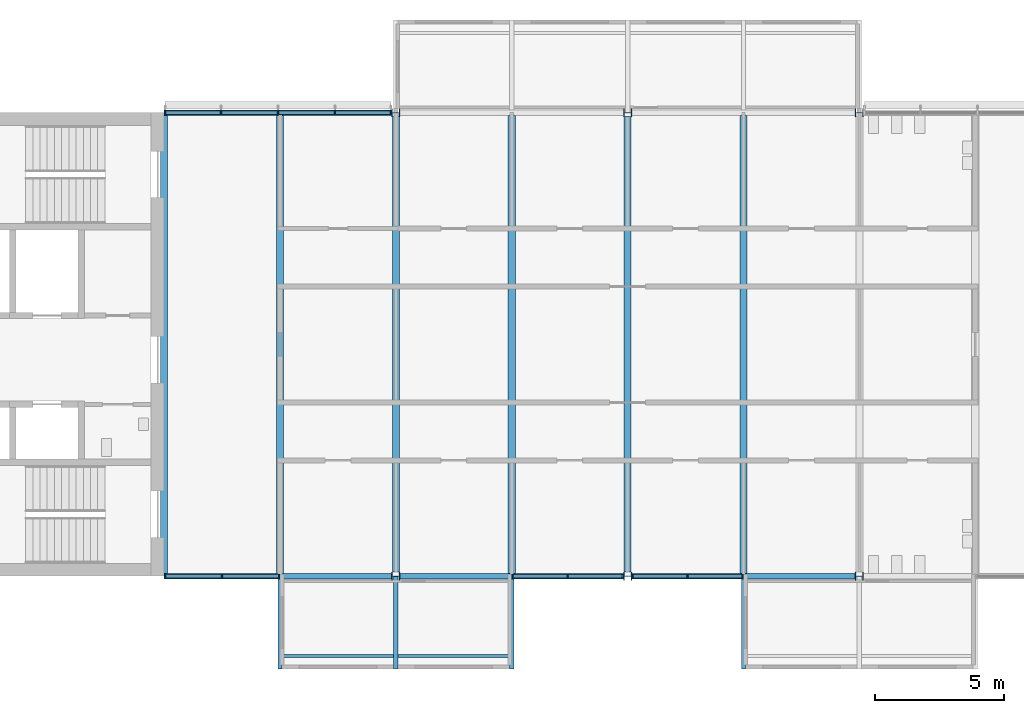
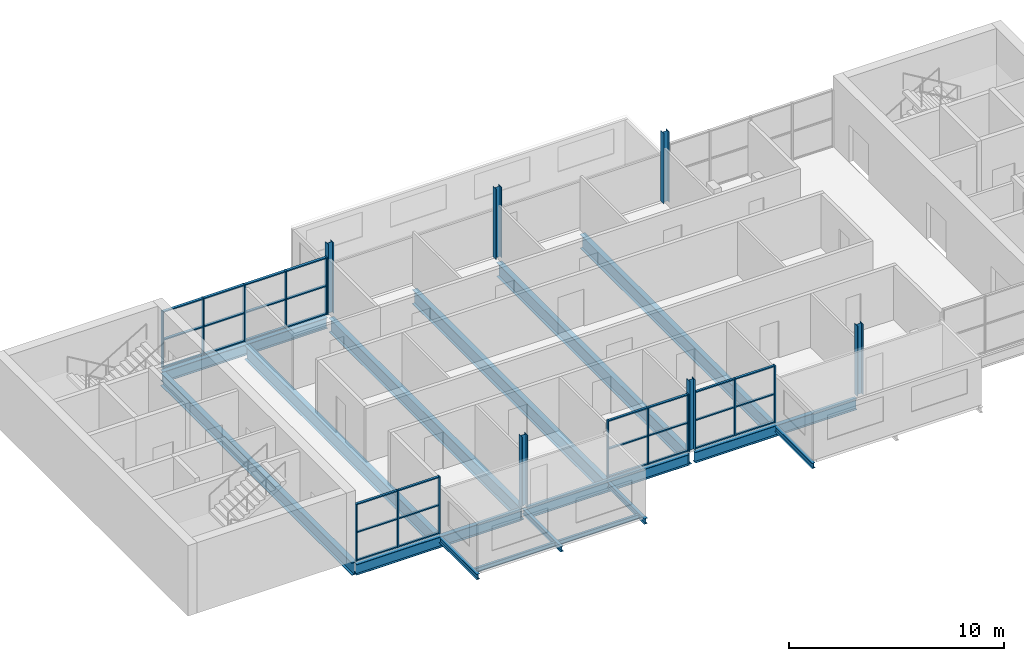
# One storey, part 1 of 10: 44 members, 16 beams, 6 columns, 4 elements without a shape of their own.
"""IFC4 building model written with IfcOpenShell, lengths in metres."""

from ifc_helpers import new_model, si_unit, direction, frame, origin, origin_2d, place, context, subcontext, project, spatial, rectangle, i_section, extrude, material, layer, layer_set, material_profile, profile_set, type_object, element, aggregate, save


model = new_model("IFC4")

# Units and contexts
model_context = context("Model", 3, precision=1e-05, world=origin(), true_north=direction((0.0, 1.0)))
body_context = subcontext(model_context, "Body", "Model", "MODEL_VIEW")
ifc_project = project(units=[si_unit("LENGTHUNIT", "METRE"), si_unit("AREAUNIT", "SQUARE_METRE"), si_unit("VOLUMEUNIT", "CUBIC_METRE"), si_unit("PLANEANGLEUNIT", "RADIAN"), si_unit("MASSUNIT", "GRAM", prefix="KILO")], contexts=[model_context])

# Site, building, storey
site_placement = place(None, origin())
site = spatial("IfcSite", under=ifc_project, at=site_placement, CompositionType="ELEMENT")
building_placement = place(site_placement, origin())
building = spatial("IfcBuilding", under=site, at=building_placement, Name="Corbel Yard City Hall", CompositionType="ELEMENT")
storey_placement = place(building_placement, frame((0.0, 0.0, 63.199951171875)))
storey = spatial("IfcBuildingStorey", under=building, at=storey_placement, Name="L15", CompositionType="ELEMENT", Elevation=63.199951171875)

# Columns
ifc_material_1 = material(Name="Steel Grade 300 (300 MPa yield)", Category="steel")
ifc_material_profile_1 = material_profile(ifc_material_1, i_section(OverallWidth=0.306884765625, OverallDepth=0.31494140625, WebThickness=0.011962890625, FlangeThickness=0.018798828125, at=origin_2d()), Name="310UC118")
ifc_profile_set_1 = profile_set([ifc_material_profile_1], Name="Steel Grade 300 (300 MPa yield)")
column_type = type_object("IfcColumnType", Name="Column 310UC118", PredefinedType="COLUMN", material=ifc_profile_set_1)
for number, where, z_axis, x_axis, name in (
    (1, (18.0, 99.0, 0.0), (0.0, 0.0, 1.0), (0.0, 1.0, 0.0), "Column 310UC118 L/3 L15"),
    (2, (18.0, 117.0, 0.0), (0.0, 0.0, 1.0), (0.0, 1.0, 0.0), "Column 310UC118 N/3 L15"),
    (3, (27.0, 99.0, 0.0), (0.0, 0.0, 1.0), (0.0, 1.0, 0.0), "Column 310UC118 L/4 L15"),
    (4, (27.0, 117.0, 0.0), (0.0, 0.0, 1.0), (0.0, 1.0, 0.0), "Column 310UC118 N/4 L15"),
    (5, (36.0, 99.0, 0.0), (0.0, 0.0, 1.0), (0.0, 1.0, 0.0), "Column 310UC118 L/5 L15"),
    (6, (36.0, 117.0, 0.0), (0.0, 0.0, 1.0), (0.0, 1.0, 0.0), "Column 310UC118 N/5 L15"),
):
    element("IfcColumn", number, at=place(storey_placement, frame(where, z_axis=z_axis, x_axis=x_axis)), inside=storey, type_object=column_type, Name=name, PredefinedType="COLUMN", context=body_context, shape_type="SweptSolid", body=[
        extrude(i_section(OverallWidth=0.306884765625, OverallDepth=0.31494140625, WebThickness=0.011962890625, FlangeThickness=0.018798828125, at=origin_2d()), origin(), (0.0, 0.0, 1.0), 4.0),
    ])

# Beams
ifc_material_profile_2 = material_profile(ifc_material_1, i_section(OverallWidth=0.22900390625, OverallDepth=0.612060546875, WebThickness=0.011962890625, FlangeThickness=0.01953125, at=origin_2d()), Name="610UB125")
ifc_profile_set_2 = profile_set([ifc_material_profile_2], Name="Steel Grade 300 (300 MPa yield)")
beam_type_1 = type_object("IfcBeamType", Name="Edge beam 610UB125", PredefinedType="BEAM", material=ifc_profile_set_2)
beam_1_placement = place(storey_placement, frame((9.0, 99.0, -0.4560546875), z_axis=(1.0, 0.0, 0.0), x_axis=(0.0, 1.0, 0.0)))
element("IfcBeam", 7, at=beam_1_placement, inside=storey, type_object=beam_type_1, Name="Edge beam 610UB125 EB7 L15tower", PredefinedType="BEAM", context=body_context, shape_type="SweptSolid", body=[
    extrude(i_section(OverallWidth=0.22900390625, OverallDepth=0.612060546875, WebThickness=0.011962890625, FlangeThickness=0.01953125, at=origin_2d()), origin(), (0.0, 0.0, 1.0), 8.83642578125),
])
for number, where, z_axis, x_axis, name in (
    (8, (18.16357421875, 99.0, -0.4560546875), (1.0, 0.0, 0.0), (0.0, 1.0, 0.0), "Edge beam 610UB125 EB7 L15tower"),
    (9, (27.16357421875, 99.0, -0.4560546875), (1.0, 0.0, 0.0), (0.0, 1.0, 0.0), "Edge beam 610UB125 EB7 L15tower"),
):
    element("IfcBeam", number, at=place(storey_placement, frame(where, z_axis=z_axis, x_axis=x_axis)), inside=storey, type_object=beam_type_1, Name=name, PredefinedType="BEAM", context=body_context, shape_type="SweptSolid", body=[
        extrude(i_section(OverallWidth=0.22900390625, OverallDepth=0.612060546875, WebThickness=0.011962890625, FlangeThickness=0.01953125, at=origin_2d()), origin(), (0.0, 0.0, 1.0), 8.6728515625),
    ])
beam_2_placement = place(storey_placement, frame((9.0, 117.0, -0.4560546875), z_axis=(1.0, 0.0, 0.0), x_axis=(0.0, 1.0, 0.0)))
element("IfcBeam", 10, at=beam_2_placement, inside=storey, type_object=beam_type_1, Name="Edge beam 610UB125 EB7 L15tower", PredefinedType="BEAM", context=body_context, shape_type="SweptSolid", body=[
    extrude(i_section(OverallWidth=0.22900390625, OverallDepth=0.612060546875, WebThickness=0.011962890625, FlangeThickness=0.01953125, at=origin_2d()), origin(), (0.0, 0.0, 1.0), 8.83642578125),
])
ifc_material_2 = material(Name="Steel Grade 350", Category="steel")
ifc_material_profile_3 = material_profile(ifc_material_2, i_section(OverallWidth=0.27490234375, OverallDepth=0.800048828125, WebThickness=0.010009765625, FlangeThickness=0.02001953125, at=origin_2d()), Name="800WB146")
ifc_profile_set_3 = profile_set([ifc_material_profile_3], Name="Steel Grade 350")
beam_type_2 = type_object("IfcBeamType", Name="Long-span beam 800WB146", PredefinedType="BEAM", material=ifc_profile_set_3)
for number, where, z_axis, x_axis, name in (
    (11, (18.0, 99.155517578125, -0.550048828125), (0.0, 1.0, 0.0), (-1.0, 0.0, 0.0), "Long-span beam 800WB146 SB8 L15tower"),
    (12, (27.0, 99.155517578125, -0.550048828125), (0.0, 1.0, 0.0), (-1.0, 0.0, 0.0), "Long-span beam 800WB146 SB8 L15tower"),
):
    element("IfcBeam", number, at=place(storey_placement, frame(where, z_axis=z_axis, x_axis=x_axis)), inside=storey, type_object=beam_type_2, Name=name, PredefinedType="BEAM", context=body_context, shape_type="SweptSolid", body=[
        extrude(i_section(OverallWidth=0.27490234375, OverallDepth=0.800048828125, WebThickness=0.010009765625, FlangeThickness=0.02001953125, at=origin_2d()), origin(), (0.0, 0.0, 1.0), 17.68896484375),
    ])
ifc_material_profile_4 = material_profile(ifc_material_2, i_section(OverallWidth=0.27490234375, OverallDepth=0.716064453125, WebThickness=0.010009765625, FlangeThickness=0.028076171875, at=origin_2d()), Name="700WB173")
ifc_profile_set_4 = profile_set([ifc_material_profile_4], Name="Steel Grade 350")
beam_type_3 = type_object("IfcBeamType", Name="Long-span edge beam 700WB173", PredefinedType="BEAM", material=ifc_profile_set_4)
beam_3_placement = place(storey_placement, frame((9.0, 99.114501953125, -0.508056640625), z_axis=(0.0, 1.0, 0.0), x_axis=(-1.0, 0.0, 0.0)))
element("IfcBeam", 13, at=beam_3_placement, inside=storey, type_object=beam_type_3, Name="Long-span edge beam 700WB173 EB10 L15tower", PredefinedType="BEAM", context=body_context, shape_type="SweptSolid", body=[
    extrude(i_section(OverallWidth=0.27490234375, OverallDepth=0.716064453125, WebThickness=0.010009765625, FlangeThickness=0.028076171875, at=origin_2d()), origin(), (0.0, 0.0, 1.0), 17.77099609375),
])
ifc_material_profile_5 = material_profile(ifc_material_2, i_section(OverallWidth=0.27490234375, OverallDepth=0.800048828125, WebThickness=0.010009765625, FlangeThickness=0.02001953125, at=origin_2d()), Name="800WB146")
ifc_profile_set_5 = profile_set([ifc_material_profile_5], Name="Steel Grade 350")
beam_type_4 = type_object("IfcBeamType", Name="Long-span secondary beam 800WB146", PredefinedType="JOIST", material=ifc_profile_set_5)
for number, where, z_axis, x_axis, name in (
    (14, (13.5, 99.114501953125, -0.550048828125), (0.0, 1.0, 0.0), (-1.0, 0.0, 0.0), "Long-span secondary beam 800WB146 SB7 L15tower"),
    (15, (22.5, 99.114501953125, -0.550048828125), (0.0, 1.0, 0.0), (-1.0, 0.0, 0.0), "Long-span secondary beam 800WB146 SB7 L15tower"),
    (16, (31.5, 99.114501953125, -0.550048828125), (0.0, 1.0, 0.0), (-1.0, 0.0, 0.0), "Long-span secondary beam 800WB146 SB7 L15tower"),
):
    element("IfcBeam", number, at=place(storey_placement, frame(where, z_axis=z_axis, x_axis=x_axis)), inside=storey, type_object=beam_type_4, Name=name, PredefinedType="JOIST", context=body_context, shape_type="SweptSolid", body=[
        extrude(i_section(OverallWidth=0.27490234375, OverallDepth=0.800048828125, WebThickness=0.010009765625, FlangeThickness=0.02001953125, at=origin_2d()), origin(), (0.0, 0.0, 1.0), 17.77099609375),
    ])

# Curtain wall, members
ifc_material_3 = material(Name="Aluminium extrusion", Category="aluminium")
ifc_layer_1 = layer(ifc_material_3, 0.14990234375)
ifc_layer_set_1 = layer_set([ifc_layer_1], Name="Aluminium extrusion")
curtain_wall_type_1 = type_object("IfcCurtainWallType", Name="CW2", PredefinedType="USERDEFINED", material=ifc_layer_set_1)
curtain_wall_1_placement = place(storey_placement, origin())
curtain_wall_1 = element("IfcCurtainWall", 17, at=curtain_wall_1_placement, inside=storey, type_object=curtain_wall_type_1, Name="Curtain wall CW2 L15", ObjectType="CURTAIN WALL", PredefinedType="USERDEFINED")
ifc_material_profile_6 = material_profile(ifc_material_3, rectangle(XDim=0.14990234375, YDim=0.06494140625, at=origin_2d()), Name="150x65")
ifc_profile_set_6 = profile_set([ifc_material_profile_6], Name="Aluminium extrusion")
member_type_1 = type_object("IfcMemberType", Name="ML2", PredefinedType="MULLION", material=ifc_profile_set_6)
member_1_placement = place(storey_placement, frame((9.032470703125, 99.0, 0.0), z_axis=(0.0, 0.0, 1.0), x_axis=(0.0, 1.0, 0.0)))
member_1 = element("IfcMember", 18, at=member_1_placement, type_object=member_type_1, Name="CW2 mullion 1", PredefinedType="MULLION", context=body_context, shape_type="SweptSolid", body=[
    extrude(rectangle(XDim=0.14990234375, YDim=0.06494140625, at=origin_2d()), origin(), (0.0, 0.0, 1.0), 3.238037109375),
])
member_2_placement = place(storey_placement, frame((11.25, 99.0, 0.0), z_axis=(0.0, 0.0, 1.0), x_axis=(0.0, 1.0, 0.0)))
member_2 = element("IfcMember", 19, at=member_2_placement, type_object=member_type_1, Name="CW2 mullion 2", PredefinedType="MULLION", context=body_context, shape_type="SweptSolid", body=[
    extrude(rectangle(XDim=0.14990234375, YDim=0.06494140625, at=origin_2d()), origin(), (0.0, 0.0, 1.0), 3.238037109375),
])
member_3_placement = place(storey_placement, frame((13.467529296875, 99.0, 0.0), z_axis=(0.0, 0.0, 1.0), x_axis=(0.0, 1.0, 0.0)))
member_3 = element("IfcMember", 20, at=member_3_placement, type_object=member_type_1, Name="CW2 mullion 3", PredefinedType="MULLION", context=body_context, shape_type="SweptSolid", body=[
    extrude(rectangle(XDim=0.14990234375, YDim=0.06494140625, at=origin_2d()), origin(), (0.0, 0.0, 1.0), 3.238037109375),
])

curtain_wall_2_placement = place(storey_placement, origin())
curtain_wall_2 = element("IfcCurtainWall", 21, at=curtain_wall_2_placement, inside=storey, type_object=curtain_wall_type_1, Name="Curtain wall CW2 L15", ObjectType="CURTAIN WALL", PredefinedType="USERDEFINED")
member_4_placement = place(storey_placement, frame((22.532470703125, 99.0, 0.0), z_axis=(0.0, 0.0, 1.0), x_axis=(0.0, 1.0, 0.0)))
member_4 = element("IfcMember", 22, at=member_4_placement, type_object=member_type_1, Name="CW2 mullion 1", PredefinedType="MULLION", context=body_context, shape_type="SweptSolid", body=[
    extrude(rectangle(XDim=0.14990234375, YDim=0.06494140625, at=origin_2d()), origin(), (0.0, 0.0, 1.0), 3.238037109375),
])
member_5_placement = place(storey_placement, frame((24.671142578125, 99.0, 0.0), z_axis=(0.0, 0.0, 1.0), x_axis=(0.0, 1.0, 0.0)))
member_5 = element("IfcMember", 23, at=member_5_placement, type_object=member_type_1, Name="CW2 mullion 2", PredefinedType="MULLION", context=body_context, shape_type="SweptSolid", body=[
    extrude(rectangle(XDim=0.14990234375, YDim=0.06494140625, at=origin_2d()), origin(), (0.0, 0.0, 1.0), 3.238037109375),
])
member_6_placement = place(storey_placement, frame((26.81005859375, 99.0, 0.0), z_axis=(0.0, 0.0, 1.0), x_axis=(0.0, 1.0, 0.0)))
member_6 = element("IfcMember", 24, at=member_6_placement, type_object=member_type_1, Name="CW2 mullion 3", PredefinedType="MULLION", context=body_context, shape_type="SweptSolid", body=[
    extrude(rectangle(XDim=0.14990234375, YDim=0.06494140625, at=origin_2d()), origin(), (0.0, 0.0, 1.0), 3.238037109375),
])

curtain_wall_3_placement = place(storey_placement, origin())
curtain_wall_3 = element("IfcCurtainWall", 25, at=curtain_wall_3_placement, inside=storey, type_object=curtain_wall_type_1, Name="Curtain wall CW2 L15", ObjectType="CURTAIN WALL", PredefinedType="USERDEFINED")
member_7_placement = place(storey_placement, frame((27.18994140625, 99.0, 0.0), z_axis=(0.0, 0.0, 1.0), x_axis=(0.0, 1.0, 0.0)))
member_7 = element("IfcMember", 26, at=member_7_placement, type_object=member_type_1, Name="CW2 mullion 1", PredefinedType="MULLION", context=body_context, shape_type="SweptSolid", body=[
    extrude(rectangle(XDim=0.14990234375, YDim=0.06494140625, at=origin_2d()), origin(), (0.0, 0.0, 1.0), 3.238037109375),
])
member_8_placement = place(storey_placement, frame((29.328857421875, 99.0, 0.0), z_axis=(0.0, 0.0, 1.0), x_axis=(0.0, 1.0, 0.0)))
member_8 = element("IfcMember", 27, at=member_8_placement, type_object=member_type_1, Name="CW2 mullion 2", PredefinedType="MULLION", context=body_context, shape_type="SweptSolid", body=[
    extrude(rectangle(XDim=0.14990234375, YDim=0.06494140625, at=origin_2d()), origin(), (0.0, 0.0, 1.0), 3.238037109375),
])
member_9_placement = place(storey_placement, frame((31.467529296875, 99.0, 0.0), z_axis=(0.0, 0.0, 1.0), x_axis=(0.0, 1.0, 0.0)))
member_9 = element("IfcMember", 28, at=member_9_placement, type_object=member_type_1, Name="CW2 mullion 3", PredefinedType="MULLION", context=body_context, shape_type="SweptSolid", body=[
    extrude(rectangle(XDim=0.14990234375, YDim=0.06494140625, at=origin_2d()), origin(), (0.0, 0.0, 1.0), 3.238037109375),
])

ifc_layer_2 = layer(ifc_material_3, 0.179931640625)
ifc_layer_set_2 = layer_set([ifc_layer_2], Name="Aluminium extrusion")
curtain_wall_type_2 = type_object("IfcCurtainWallType", Name="CW6", PredefinedType="USERDEFINED", material=ifc_layer_set_2)
curtain_wall_4_placement = place(storey_placement, origin())
curtain_wall_4 = element("IfcCurtainWall", 29, at=curtain_wall_4_placement, inside=storey, type_object=curtain_wall_type_2, Name="Curtain wall CW6 L15", ObjectType="CURTAIN WALL", PredefinedType="USERDEFINED")
ifc_material_profile_7 = material_profile(ifc_material_3, rectangle(XDim=0.179931640625, YDim=0.06494140625, at=origin_2d()), Name="180x65")
ifc_profile_set_7 = profile_set([ifc_material_profile_7], Name="Aluminium extrusion")
member_type_2 = type_object("IfcMemberType", Name="ML6", PredefinedType="MULLION", material=ifc_profile_set_7)
member_10_placement = place(storey_placement, frame((9.032470703125, 117.0, 0.0), z_axis=(0.0, 0.0, 1.0), x_axis=(0.0, 1.0, 0.0)))
member_10 = element("IfcMember", 30, at=member_10_placement, type_object=member_type_2, Name="CW6 mullion 1", PredefinedType="MULLION", context=body_context, shape_type="SweptSolid", body=[
    extrude(rectangle(XDim=0.179931640625, YDim=0.06494140625, at=origin_2d()), origin(), (0.0, 0.0, 1.0), 3.238037109375),
])
member_11_placement = place(storey_placement, frame((11.210693359375, 117.0, 0.0), z_axis=(0.0, 0.0, 1.0), x_axis=(0.0, 1.0, 0.0)))
member_11 = element("IfcMember", 31, at=member_11_placement, type_object=member_type_2, Name="CW6 mullion 2", PredefinedType="MULLION", context=body_context, shape_type="SweptSolid", body=[
    extrude(rectangle(XDim=0.179931640625, YDim=0.06494140625, at=origin_2d()), origin(), (0.0, 0.0, 1.0), 3.238037109375),
])
member_12_placement = place(storey_placement, frame((13.421142578125, 117.0, 0.0), z_axis=(0.0, 0.0, 1.0), x_axis=(0.0, 1.0, 0.0)))
member_12 = element("IfcMember", 32, at=member_12_placement, type_object=member_type_2, Name="CW6 mullion 3", PredefinedType="MULLION", context=body_context, shape_type="SweptSolid", body=[
    extrude(rectangle(XDim=0.179931640625, YDim=0.06494140625, at=origin_2d()), origin(), (0.0, 0.0, 1.0), 3.238037109375),
])
member_13_placement = place(storey_placement, frame((15.6318359375, 117.0, 0.0), z_axis=(0.0, 0.0, 1.0), x_axis=(0.0, 1.0, 0.0)))
member_13 = element("IfcMember", 33, at=member_13_placement, type_object=member_type_2, Name="CW6 mullion 4", PredefinedType="MULLION", context=body_context, shape_type="SweptSolid", body=[
    extrude(rectangle(XDim=0.179931640625, YDim=0.06494140625, at=origin_2d()), origin(), (0.0, 0.0, 1.0), 3.238037109375),
])
member_14_placement = place(storey_placement, frame((17.81005859375, 117.0, 0.0), z_axis=(0.0, 0.0, 1.0), x_axis=(0.0, 1.0, 0.0)))
member_14 = element("IfcMember", 34, at=member_14_placement, type_object=member_type_2, Name="CW6 mullion 5", PredefinedType="MULLION", context=body_context, shape_type="SweptSolid", body=[
    extrude(rectangle(XDim=0.179931640625, YDim=0.06494140625, at=origin_2d()), origin(), (0.0, 0.0, 1.0), 3.238037109375),
])

# Beams
ifc_material_profile_8 = material_profile(ifc_material_1, i_section(OverallWidth=0.166015625, OverallDepth=0.306884765625, WebThickness=0.006591796875, FlangeThickness=0.01171875, at=origin_2d()), Name="310UB46.2")
ifc_profile_set_8 = profile_set([ifc_material_profile_8], Name="Steel Grade 300 (300 MPa yield)")
beam_type_5 = type_object("IfcBeamType", Name="Pod stub beam 310UB46.2", PredefinedType="BEAM", material=ifc_profile_set_8)
beam_4_placement = place(storey_placement, frame((13.5, 95.39990234375, -0.303466796875), z_axis=(0.0, 1.0, 0.0), x_axis=(-1.0, 0.0, 0.0)))
element("IfcBeam", 35, at=beam_4_placement, inside=storey, type_object=beam_type_5, Name="Pod stub 310UB46.2 CB1 L15", PredefinedType="BEAM", context=body_context, shape_type="SweptSolid", body=[
    extrude(i_section(OverallWidth=0.166015625, OverallDepth=0.306884765625, WebThickness=0.006591796875, FlangeThickness=0.01171875, at=origin_2d()), origin(), (0.0, 0.0, 1.0), 3.485595703125),
])
beam_5_placement = place(storey_placement, frame((18.0, 95.39990234375, -0.303466796875), z_axis=(0.0, 1.0, 0.0), x_axis=(-1.0, 0.0, 0.0)))
element("IfcBeam", 36, at=beam_5_placement, inside=storey, type_object=beam_type_5, Name="Pod stub 310UB46.2 CB1 L15", PredefinedType="BEAM", context=body_context, shape_type="SweptSolid", body=[
    extrude(i_section(OverallWidth=0.166015625, OverallDepth=0.306884765625, WebThickness=0.006591796875, FlangeThickness=0.01171875, at=origin_2d()), origin(), (0.0, 0.0, 1.0), 3.59423828125),
])
for number, where, z_axis, x_axis, name in (
    (37, (22.5, 95.39990234375, -0.303466796875), (0.0, 1.0, 0.0), (-1.0, 0.0, 0.0), "Pod stub 310UB46.2 CB1 L15"),
    (38, (31.5, 95.39990234375, -0.303466796875), (0.0, 1.0, 0.0), (-1.0, 0.0, 0.0), "Pod stub 310UB46.2 CB1 L15"),
):
    element("IfcBeam", number, at=place(storey_placement, frame(where, z_axis=z_axis, x_axis=x_axis)), inside=storey, type_object=beam_type_5, Name=name, PredefinedType="BEAM", context=body_context, shape_type="SweptSolid", body=[
        extrude(i_section(OverallWidth=0.166015625, OverallDepth=0.306884765625, WebThickness=0.006591796875, FlangeThickness=0.01171875, at=origin_2d()), origin(), (0.0, 0.0, 1.0), 3.485595703125),
    ])
ifc_material_profile_9 = material_profile(ifc_material_1, i_section(OverallWidth=0.1240234375, OverallDepth=0.248046875, WebThickness=0.0048828125, FlangeThickness=0.008056640625, at=origin_2d()), Name="250UB25.7")
ifc_profile_set_9 = profile_set([ifc_material_profile_9], Name="Steel Grade 300 (300 MPa yield)")
beam_type_6 = type_object("IfcBeamType", Name="Pod tip beam", PredefinedType="BEAM", material=ifc_profile_set_9)
for number, where, z_axis, x_axis, name in (
    (39, (13.5830078125, 95.89990234375, -0.27392578125), (1.0, 0.0, 0.0), (0.0, 1.0, 0.0), "Pod tip beam"),
    (40, (18.0830078125, 95.89990234375, -0.27392578125), (1.0, 0.0, 0.0), (0.0, 1.0, 0.0), "Pod tip beam"),
):
    element("IfcBeam", number, at=place(storey_placement, frame(where, z_axis=z_axis, x_axis=x_axis)), inside=storey, type_object=beam_type_6, Name=name, PredefinedType="BEAM", context=body_context, shape_type="SweptSolid", body=[
        extrude(i_section(OverallWidth=0.1240234375, OverallDepth=0.248046875, WebThickness=0.0048828125, FlangeThickness=0.008056640625, at=origin_2d()), origin(), (0.0, 0.0, 1.0), 4.333984375),
    ])

# Member
ifc_material_profile_10 = material_profile(ifc_material_3, rectangle(XDim=0.1201171875, YDim=0.06494140625, at=origin_2d()), Name="120x65")
ifc_profile_set_10 = profile_set([ifc_material_profile_10], Name="Aluminium extrusion")
member_type_3 = type_object("IfcMemberType", Name="TR2", PredefinedType="USERDEFINED", material=ifc_profile_set_10)
member_15_placement = place(storey_placement, frame((9.06494140625, 99.0, 0.032470703125), z_axis=(1.0, 0.0, 0.0), x_axis=(0.0, 1.0, 0.0)))
member_15 = element("IfcMember", 41, at=member_15_placement, type_object=member_type_3, Name="CW2 transom 1.1", ObjectType="TRANSOM", PredefinedType="USERDEFINED", context=body_context, shape_type="SweptSolid", body=[
    extrude(rectangle(XDim=0.1201171875, YDim=0.06494140625, at=origin_2d()), origin(), (0.0, 0.0, 1.0), 2.152587890625),
])

member_16_placement = place(storey_placement, frame((9.06494140625, 99.0, 1.619140625), z_axis=(1.0, 0.0, 0.0), x_axis=(0.0, 1.0, 0.0)))
member_16 = element("IfcMember", 42, at=member_16_placement, type_object=member_type_3, Name="CW2 transom 1.2", ObjectType="TRANSOM", PredefinedType="USERDEFINED", context=body_context, shape_type="SweptSolid", body=[
    extrude(rectangle(XDim=0.1201171875, YDim=0.06494140625, at=origin_2d()), origin(), (0.0, 0.0, 1.0), 2.152587890625),
])

member_17_placement = place(storey_placement, frame((9.06494140625, 99.0, 3.20556640625), z_axis=(1.0, 0.0, 0.0), x_axis=(0.0, 1.0, 0.0)))
member_17 = element("IfcMember", 43, at=member_17_placement, type_object=member_type_3, Name="CW2 transom 1.3", ObjectType="TRANSOM", PredefinedType="USERDEFINED", context=body_context, shape_type="SweptSolid", body=[
    extrude(rectangle(XDim=0.1201171875, YDim=0.06494140625, at=origin_2d()), origin(), (0.0, 0.0, 1.0), 2.152587890625),
])

member_18_placement = place(storey_placement, frame((11.282470703125, 99.0, 0.032470703125), z_axis=(1.0, 0.0, 0.0), x_axis=(0.0, 1.0, 0.0)))
member_18 = element("IfcMember", 44, at=member_18_placement, type_object=member_type_3, Name="CW2 transom 2.1", ObjectType="TRANSOM", PredefinedType="USERDEFINED", context=body_context, shape_type="SweptSolid", body=[
    extrude(rectangle(XDim=0.1201171875, YDim=0.06494140625, at=origin_2d()), origin(), (0.0, 0.0, 1.0), 2.152587890625),
])

member_19_placement = place(storey_placement, frame((11.282470703125, 99.0, 1.619140625), z_axis=(1.0, 0.0, 0.0), x_axis=(0.0, 1.0, 0.0)))
member_19 = element("IfcMember", 45, at=member_19_placement, type_object=member_type_3, Name="CW2 transom 2.2", ObjectType="TRANSOM", PredefinedType="USERDEFINED", context=body_context, shape_type="SweptSolid", body=[
    extrude(rectangle(XDim=0.1201171875, YDim=0.06494140625, at=origin_2d()), origin(), (0.0, 0.0, 1.0), 2.152587890625),
])

member_20_placement = place(storey_placement, frame((11.282470703125, 99.0, 3.20556640625), z_axis=(1.0, 0.0, 0.0), x_axis=(0.0, 1.0, 0.0)))
member_20 = element("IfcMember", 46, at=member_20_placement, type_object=member_type_3, Name="CW2 transom 2.3", ObjectType="TRANSOM", PredefinedType="USERDEFINED", context=body_context, shape_type="SweptSolid", body=[
    extrude(rectangle(XDim=0.1201171875, YDim=0.06494140625, at=origin_2d()), origin(), (0.0, 0.0, 1.0), 2.152587890625),
])

aggregate(curtain_wall_1, [member_1, member_2, member_3, member_15, member_16, member_17, member_18, member_19, member_20])

member_21_placement = place(storey_placement, frame((22.56494140625, 99.0, 0.032470703125), z_axis=(1.0, 0.0, 0.0), x_axis=(0.0, 1.0, 0.0)))
member_21 = element("IfcMember", 47, at=member_21_placement, type_object=member_type_3, Name="CW2 transom 1.1", ObjectType="TRANSOM", PredefinedType="USERDEFINED", context=body_context, shape_type="SweptSolid", body=[
    extrude(rectangle(XDim=0.1201171875, YDim=0.06494140625, at=origin_2d()), origin(), (0.0, 0.0, 1.0), 2.07373046875),
])

member_22_placement = place(storey_placement, frame((22.56494140625, 99.0, 1.619140625), z_axis=(1.0, 0.0, 0.0), x_axis=(0.0, 1.0, 0.0)))
member_22 = element("IfcMember", 48, at=member_22_placement, type_object=member_type_3, Name="CW2 transom 1.2", ObjectType="TRANSOM", PredefinedType="USERDEFINED", context=body_context, shape_type="SweptSolid", body=[
    extrude(rectangle(XDim=0.1201171875, YDim=0.06494140625, at=origin_2d()), origin(), (0.0, 0.0, 1.0), 2.07373046875),
])

member_23_placement = place(storey_placement, frame((22.56494140625, 99.0, 3.20556640625), z_axis=(1.0, 0.0, 0.0), x_axis=(0.0, 1.0, 0.0)))
member_23 = element("IfcMember", 49, at=member_23_placement, type_object=member_type_3, Name="CW2 transom 1.3", ObjectType="TRANSOM", PredefinedType="USERDEFINED", context=body_context, shape_type="SweptSolid", body=[
    extrude(rectangle(XDim=0.1201171875, YDim=0.06494140625, at=origin_2d()), origin(), (0.0, 0.0, 1.0), 2.07373046875),
])

member_24_placement = place(storey_placement, frame((24.703857421875, 99.0, 0.032470703125), z_axis=(1.0, 0.0, 0.0), x_axis=(0.0, 1.0, 0.0)))
member_24 = element("IfcMember", 50, at=member_24_placement, type_object=member_type_3, Name="CW2 transom 2.1", ObjectType="TRANSOM", PredefinedType="USERDEFINED", context=body_context, shape_type="SweptSolid", body=[
    extrude(rectangle(XDim=0.1201171875, YDim=0.06494140625, at=origin_2d()), origin(), (0.0, 0.0, 1.0), 2.07373046875),
])

member_25_placement = place(storey_placement, frame((24.703857421875, 99.0, 1.619140625), z_axis=(1.0, 0.0, 0.0), x_axis=(0.0, 1.0, 0.0)))
member_25 = element("IfcMember", 51, at=member_25_placement, type_object=member_type_3, Name="CW2 transom 2.2", ObjectType="TRANSOM", PredefinedType="USERDEFINED", context=body_context, shape_type="SweptSolid", body=[
    extrude(rectangle(XDim=0.1201171875, YDim=0.06494140625, at=origin_2d()), origin(), (0.0, 0.0, 1.0), 2.07373046875),
])

member_26_placement = place(storey_placement, frame((24.703857421875, 99.0, 3.20556640625), z_axis=(1.0, 0.0, 0.0), x_axis=(0.0, 1.0, 0.0)))
member_26 = element("IfcMember", 52, at=member_26_placement, type_object=member_type_3, Name="CW2 transom 2.3", ObjectType="TRANSOM", PredefinedType="USERDEFINED", context=body_context, shape_type="SweptSolid", body=[
    extrude(rectangle(XDim=0.1201171875, YDim=0.06494140625, at=origin_2d()), origin(), (0.0, 0.0, 1.0), 2.07373046875),
])

aggregate(curtain_wall_2, [member_4, member_5, member_6, member_21, member_22, member_23, member_24, member_25, member_26])

member_27_placement = place(storey_placement, frame((27.222412109375, 99.0, 0.032470703125), z_axis=(1.0, 0.0, 0.0), x_axis=(0.0, 1.0, 0.0)))
member_27 = element("IfcMember", 53, at=member_27_placement, type_object=member_type_3, Name="CW2 transom 1.1", ObjectType="TRANSOM", PredefinedType="USERDEFINED", context=body_context, shape_type="SweptSolid", body=[
    extrude(rectangle(XDim=0.1201171875, YDim=0.06494140625, at=origin_2d()), origin(), (0.0, 0.0, 1.0), 2.07373046875),
])

member_28_placement = place(storey_placement, frame((27.222412109375, 99.0, 1.619140625), z_axis=(1.0, 0.0, 0.0), x_axis=(0.0, 1.0, 0.0)))
member_28 = element("IfcMember", 54, at=member_28_placement, type_object=member_type_3, Name="CW2 transom 1.2", ObjectType="TRANSOM", PredefinedType="USERDEFINED", context=body_context, shape_type="SweptSolid", body=[
    extrude(rectangle(XDim=0.1201171875, YDim=0.06494140625, at=origin_2d()), origin(), (0.0, 0.0, 1.0), 2.07373046875),
])

member_29_placement = place(storey_placement, frame((27.222412109375, 99.0, 3.20556640625), z_axis=(1.0, 0.0, 0.0), x_axis=(0.0, 1.0, 0.0)))
member_29 = element("IfcMember", 55, at=member_29_placement, type_object=member_type_3, Name="CW2 transom 1.3", ObjectType="TRANSOM", PredefinedType="USERDEFINED", context=body_context, shape_type="SweptSolid", body=[
    extrude(rectangle(XDim=0.1201171875, YDim=0.06494140625, at=origin_2d()), origin(), (0.0, 0.0, 1.0), 2.07373046875),
])

member_30_placement = place(storey_placement, frame((29.361328125, 99.0, 0.032470703125), z_axis=(1.0, 0.0, 0.0), x_axis=(0.0, 1.0, 0.0)))
member_30 = element("IfcMember", 56, at=member_30_placement, type_object=member_type_3, Name="CW2 transom 2.1", ObjectType="TRANSOM", PredefinedType="USERDEFINED", context=body_context, shape_type="SweptSolid", body=[
    extrude(rectangle(XDim=0.1201171875, YDim=0.06494140625, at=origin_2d()), origin(), (0.0, 0.0, 1.0), 2.07373046875),
])

member_31_placement = place(storey_placement, frame((29.361328125, 99.0, 1.619140625), z_axis=(1.0, 0.0, 0.0), x_axis=(0.0, 1.0, 0.0)))
member_31 = element("IfcMember", 57, at=member_31_placement, type_object=member_type_3, Name="CW2 transom 2.2", ObjectType="TRANSOM", PredefinedType="USERDEFINED", context=body_context, shape_type="SweptSolid", body=[
    extrude(rectangle(XDim=0.1201171875, YDim=0.06494140625, at=origin_2d()), origin(), (0.0, 0.0, 1.0), 2.07373046875),
])

member_32_placement = place(storey_placement, frame((29.361328125, 99.0, 3.20556640625), z_axis=(1.0, 0.0, 0.0), x_axis=(0.0, 1.0, 0.0)))
member_32 = element("IfcMember", 58, at=member_32_placement, type_object=member_type_3, Name="CW2 transom 2.3", ObjectType="TRANSOM", PredefinedType="USERDEFINED", context=body_context, shape_type="SweptSolid", body=[
    extrude(rectangle(XDim=0.1201171875, YDim=0.06494140625, at=origin_2d()), origin(), (0.0, 0.0, 1.0), 2.07373046875),
])

aggregate(curtain_wall_3, [member_7, member_8, member_9, member_27, member_28, member_29, member_30, member_31, member_32])

ifc_material_profile_11 = material_profile(ifc_material_3, rectangle(XDim=0.139892578125, YDim=0.06494140625, at=origin_2d()), Name="140x65")
ifc_profile_set_11 = profile_set([ifc_material_profile_11], Name="Aluminium extrusion")
member_type_4 = type_object("IfcMemberType", Name="TR6", PredefinedType="USERDEFINED", material=ifc_profile_set_11)
member_33_placement = place(storey_placement, frame((9.06494140625, 117.0, 0.032470703125), z_axis=(1.0, 0.0, 0.0), x_axis=(0.0, 1.0, 0.0)))
member_33 = element("IfcMember", 59, at=member_33_placement, type_object=member_type_4, Name="CW6 transom 1.1", ObjectType="TRANSOM", PredefinedType="USERDEFINED", context=body_context, shape_type="SweptSolid", body=[
    extrude(rectangle(XDim=0.139892578125, YDim=0.06494140625, at=origin_2d()), origin(), (0.0, 0.0, 1.0), 2.11328125),
])

member_34_placement = place(storey_placement, frame((9.06494140625, 117.0, 1.619140625), z_axis=(1.0, 0.0, 0.0), x_axis=(0.0, 1.0, 0.0)))
member_34 = element("IfcMember", 60, at=member_34_placement, type_object=member_type_4, Name="CW6 transom 1.2", ObjectType="TRANSOM", PredefinedType="USERDEFINED", context=body_context, shape_type="SweptSolid", body=[
    extrude(rectangle(XDim=0.139892578125, YDim=0.06494140625, at=origin_2d()), origin(), (0.0, 0.0, 1.0), 2.11328125),
])

member_35_placement = place(storey_placement, frame((9.06494140625, 117.0, 3.20556640625), z_axis=(1.0, 0.0, 0.0), x_axis=(0.0, 1.0, 0.0)))
member_35 = element("IfcMember", 61, at=member_35_placement, type_object=member_type_4, Name="CW6 transom 1.3", ObjectType="TRANSOM", PredefinedType="USERDEFINED", context=body_context, shape_type="SweptSolid", body=[
    extrude(rectangle(XDim=0.139892578125, YDim=0.06494140625, at=origin_2d()), origin(), (0.0, 0.0, 1.0), 2.11328125),
])

member_36_placement = place(storey_placement, frame((11.2431640625, 117.0, 0.032470703125), z_axis=(1.0, 0.0, 0.0), x_axis=(0.0, 1.0, 0.0)))
member_36 = element("IfcMember", 62, at=member_36_placement, type_object=member_type_4, Name="CW6 transom 2.1", ObjectType="TRANSOM", PredefinedType="USERDEFINED", context=body_context, shape_type="SweptSolid", body=[
    extrude(rectangle(XDim=0.139892578125, YDim=0.06494140625, at=origin_2d()), origin(), (0.0, 0.0, 1.0), 2.1455078125),
])

member_37_placement = place(storey_placement, frame((11.2431640625, 117.0, 1.619140625), z_axis=(1.0, 0.0, 0.0), x_axis=(0.0, 1.0, 0.0)))
member_37 = element("IfcMember", 63, at=member_37_placement, type_object=member_type_4, Name="CW6 transom 2.2", ObjectType="TRANSOM", PredefinedType="USERDEFINED", context=body_context, shape_type="SweptSolid", body=[
    extrude(rectangle(XDim=0.139892578125, YDim=0.06494140625, at=origin_2d()), origin(), (0.0, 0.0, 1.0), 2.1455078125),
])

member_38_placement = place(storey_placement, frame((11.2431640625, 117.0, 3.20556640625), z_axis=(1.0, 0.0, 0.0), x_axis=(0.0, 1.0, 0.0)))
member_38 = element("IfcMember", 64, at=member_38_placement, type_object=member_type_4, Name="CW6 transom 2.3", ObjectType="TRANSOM", PredefinedType="USERDEFINED", context=body_context, shape_type="SweptSolid", body=[
    extrude(rectangle(XDim=0.139892578125, YDim=0.06494140625, at=origin_2d()), origin(), (0.0, 0.0, 1.0), 2.1455078125),
])

member_39_placement = place(storey_placement, frame((13.453857421875, 117.0, 0.032470703125), z_axis=(1.0, 0.0, 0.0), x_axis=(0.0, 1.0, 0.0)))
member_39 = element("IfcMember", 65, at=member_39_placement, type_object=member_type_4, Name="CW6 transom 3.1", ObjectType="TRANSOM", PredefinedType="USERDEFINED", context=body_context, shape_type="SweptSolid", body=[
    extrude(rectangle(XDim=0.139892578125, YDim=0.06494140625, at=origin_2d()), origin(), (0.0, 0.0, 1.0), 2.1455078125),
])

member_40_placement = place(storey_placement, frame((13.453857421875, 117.0, 1.619140625), z_axis=(1.0, 0.0, 0.0), x_axis=(0.0, 1.0, 0.0)))
member_40 = element("IfcMember", 66, at=member_40_placement, type_object=member_type_4, Name="CW6 transom 3.2", ObjectType="TRANSOM", PredefinedType="USERDEFINED", context=body_context, shape_type="SweptSolid", body=[
    extrude(rectangle(XDim=0.139892578125, YDim=0.06494140625, at=origin_2d()), origin(), (0.0, 0.0, 1.0), 2.1455078125),
])

member_41_placement = place(storey_placement, frame((13.453857421875, 117.0, 3.20556640625), z_axis=(1.0, 0.0, 0.0), x_axis=(0.0, 1.0, 0.0)))
member_41 = element("IfcMember", 67, at=member_41_placement, type_object=member_type_4, Name="CW6 transom 3.3", ObjectType="TRANSOM", PredefinedType="USERDEFINED", context=body_context, shape_type="SweptSolid", body=[
    extrude(rectangle(XDim=0.139892578125, YDim=0.06494140625, at=origin_2d()), origin(), (0.0, 0.0, 1.0), 2.1455078125),
])

member_42_placement = place(storey_placement, frame((15.664306640625, 117.0, 0.032470703125), z_axis=(1.0, 0.0, 0.0), x_axis=(0.0, 1.0, 0.0)))
member_42 = element("IfcMember", 68, at=member_42_placement, type_object=member_type_4, Name="CW6 transom 4.1", ObjectType="TRANSOM", PredefinedType="USERDEFINED", context=body_context, shape_type="SweptSolid", body=[
    extrude(rectangle(XDim=0.139892578125, YDim=0.06494140625, at=origin_2d()), origin(), (0.0, 0.0, 1.0), 2.11328125),
])

member_43_placement = place(storey_placement, frame((15.664306640625, 117.0, 1.619140625), z_axis=(1.0, 0.0, 0.0), x_axis=(0.0, 1.0, 0.0)))
member_43 = element("IfcMember", 69, at=member_43_placement, type_object=member_type_4, Name="CW6 transom 4.2", ObjectType="TRANSOM", PredefinedType="USERDEFINED", context=body_context, shape_type="SweptSolid", body=[
    extrude(rectangle(XDim=0.139892578125, YDim=0.06494140625, at=origin_2d()), origin(), (0.0, 0.0, 1.0), 2.11328125),
])

member_44_placement = place(storey_placement, frame((15.664306640625, 117.0, 3.20556640625), z_axis=(1.0, 0.0, 0.0), x_axis=(0.0, 1.0, 0.0)))
member_44 = element("IfcMember", 70, at=member_44_placement, type_object=member_type_4, Name="CW6 transom 4.3", ObjectType="TRANSOM", PredefinedType="USERDEFINED", context=body_context, shape_type="SweptSolid", body=[
    extrude(rectangle(XDim=0.139892578125, YDim=0.06494140625, at=origin_2d()), origin(), (0.0, 0.0, 1.0), 2.11328125),
])

aggregate(curtain_wall_4, [member_10, member_11, member_12, member_13, member_14, member_33, member_34, member_35, member_36, member_37, member_38, member_39, member_40, member_41, member_42, member_43, member_44])

save(model, "model.ifc")
